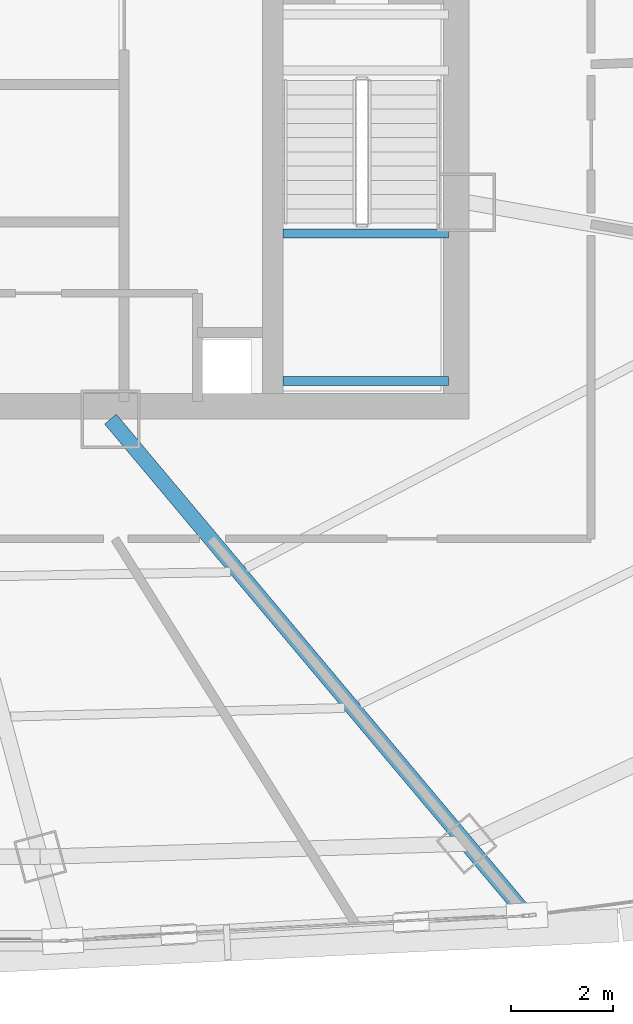
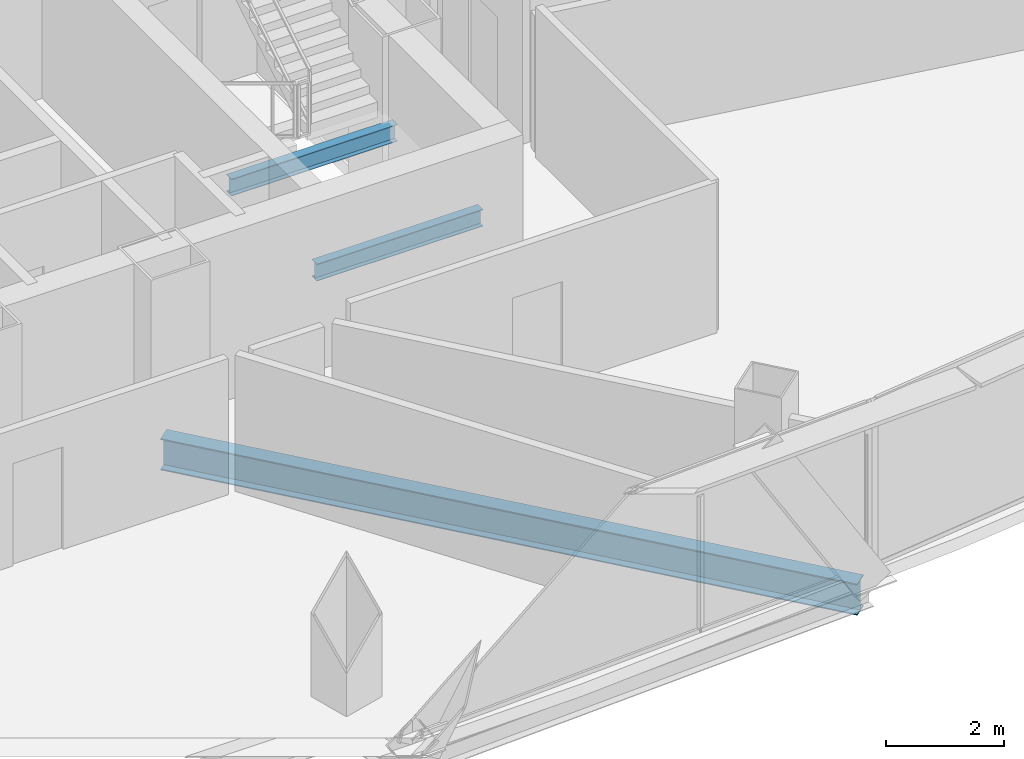
# One storey, part 13 of 37: 3 beams.
"""IFC4 building model written with IfcOpenShell, lengths in metres."""

from ifc_helpers import new_model, si_unit, direction, frame, origin, origin_2d, place, context, subcontext, project, spatial, i_section, extrude, source, transform, mapped, material, material_profile, profile_set, type_object, element, save


model = new_model("IFC4")

# Units and contexts
model_context = context("Model", 3, precision=1e-05, world=origin(), true_north=direction((0.0, 1.0)))
body_context = subcontext(model_context, "Body", "Model", "MODEL_VIEW")
ifc_project = project(units=[si_unit("LENGTHUNIT", "METRE"), si_unit("AREAUNIT", "SQUARE_METRE"), si_unit("VOLUMEUNIT", "CUBIC_METRE"), si_unit("PLANEANGLEUNIT", "RADIAN"), si_unit("MASSUNIT", "GRAM", prefix="KILO"), si_unit("THERMODYNAMICTEMPERATUREUNIT", "KELVIN"), si_unit("POWERUNIT", "WATT")], contexts=[model_context])

# Site, building, storey
site_placement = place(None, origin())
site = spatial("IfcSite", under=ifc_project, at=site_placement, CompositionType="ELEMENT")
building_placement = place(site_placement, origin())
building = spatial("IfcBuilding", under=site, at=building_placement, Name="Yunzhuo Pagoda Commons", CompositionType="ELEMENT")
storey_placement = place(building_placement, frame((0.0, 0.0, 255.719970703125)))
storey = spatial("IfcBuildingStorey", under=building, at=storey_placement, Name="L64", CompositionType="ELEMENT", Elevation=255.719970703125)

# Beams
ifc_material = material(Name="Structural steel Q355B", Category="steel")
ifc_material_profile_1 = material_profile(ifc_material, i_section(OverallWidth=0.175048828125, OverallDepth=0.35009765625, WebThickness=0.007080078125, FlangeThickness=0.010986328125, at=origin_2d()), Name="Structural steel Q355B")
ifc_profile_set_1 = profile_set([ifc_material_profile_1], Name="Structural steel Q355B")
beam_type_1 = type_object("IfcBeamType", Name="B-JS2 Joist HN 350x175x7x11", PredefinedType="JOIST", material=ifc_profile_set_1)
shared_shape_1 = source(origin(), body_context, "Body", "SweptSolid", [
    extrude(i_section(OverallWidth=0.175048828125, OverallDepth=0.35009765625, WebThickness=0.007080078125, FlangeThickness=0.010986328125, at=origin_2d()), origin(), (0.0, 0.0, 1.0), 3.25),
])
for number, where, z_axis, x_axis, name in (
    (1, (56.800048828125, 28.0, 1.489990234375), (1.0, 0.0, 0.0), (0.0, 1.0, 0.0), "L64 ST2 landing support beam 70A"),
    (2, (56.800048828125, 30.89990234375, 1.489990234375), (1.0, 0.0, 0.0), (0.0, 1.0, 0.0), "L64 ST2 landing support beam 70B"),
):
    element("IfcBeam", number, at=place(storey_placement, frame(where, z_axis=z_axis, x_axis=x_axis)), inside=storey, type_object=beam_type_1, Name=name, PredefinedType="JOIST", context=body_context, shape_type="MappedRepresentation", body=[
        mapped(shared_shape_1, transform((0.0, 0.0, 0.0), scale=1.0)),
    ])
ifc_material_profile_2 = material_profile(ifc_material, i_section(OverallWidth=0.300048828125, OverallDepth=0.64990234375, WebThickness=0.012939453125, FlangeThickness=0.02197265625, at=origin_2d()), Name="Structural steel Q355B")
ifc_profile_set_2 = profile_set([ifc_material_profile_2], Name="Structural steel Q355B")
beam_type_2 = type_object("IfcBeamType", Name="B-RG2 Beam HN 650x300x13x22", PredefinedType="BEAM", material=ifc_profile_set_2)
shared_shape_2 = source(origin(), body_context, "Body", "SweptSolid", [
    extrude(i_section(OverallWidth=0.300048828125, OverallDepth=0.64990234375, WebThickness=0.012939453125, FlangeThickness=0.02197265625, at=origin_2d()), origin(), (0.0, 0.0, 1.0), 12.575927734375),
])
beam_placement = place(storey_placement, frame((61.495849609375, 17.6162109375, -0.5849609375), z_axis=(-0.642789074184, 0.766043214258, 0.0), x_axis=(-0.766043214258, -0.642789074184, 0.0)))
element("IfcBeam", 3, at=beam_placement, inside=storey, type_object=beam_type_2, Name="L64 radial floor girder F1C4", PredefinedType="BEAM", context=body_context, shape_type="MappedRepresentation", body=[
    mapped(shared_shape_2, transform((0.0, 0.0, 0.0), scale=1.0)),
])

save(model, "model.ifc")
